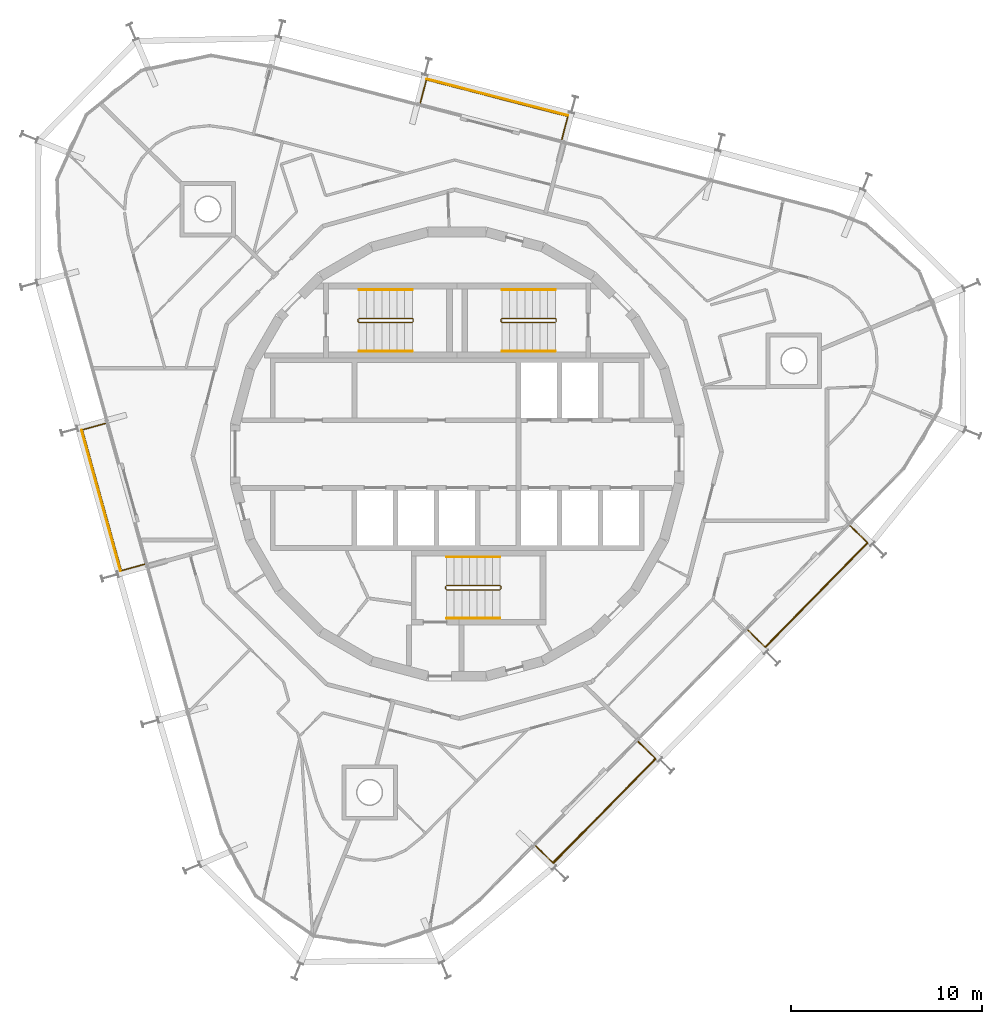
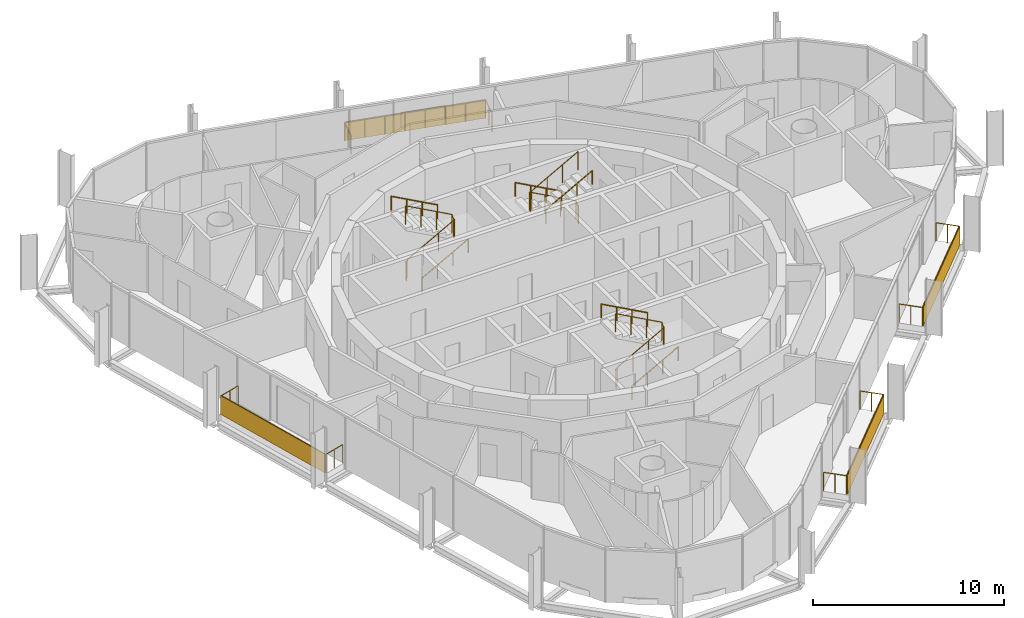
# One storey, part 15 of 15: 13 railings, 4 shading devices.
"""IFC4 building model written with IfcOpenShell, lengths in metres."""

from ifc_helpers import new_model, si_unit, direction, frame, origin, origin_2d, place, context, subcontext, project, spatial, rectangle, circle, extrude, material, layer, layer_set, type_object, element, save


model = new_model("IFC4")

# Units and contexts
model_context = context("Model", 3, precision=1e-05, world=origin(), true_north=direction((0.0, 1.0)))
body_context = subcontext(model_context, "Body", "Model", "MODEL_VIEW")
ifc_project = project(units=[si_unit("LENGTHUNIT", "METRE"), si_unit("AREAUNIT", "SQUARE_METRE"), si_unit("VOLUMEUNIT", "CUBIC_METRE"), si_unit("PLANEANGLEUNIT", "RADIAN"), si_unit("MASSUNIT", "GRAM", prefix="KILO")], contexts=[model_context])

# Site, building, storey
site_placement = place(None, origin())
site = spatial("IfcSite", under=ifc_project, at=site_placement, CompositionType="ELEMENT")
building_placement = place(site_placement, origin())
building = spatial("IfcBuilding", under=site, at=building_placement, Name="Spindle Arch Residences", CompositionType="ELEMENT")
storey_placement = place(building_placement, frame((0.0, 0.0, 319.199951171875)))
storey = spatial("IfcBuildingStorey", under=building, at=storey_placement, Name="L82", CompositionType="ELEMENT", Elevation=319.199951171875)

# Railings
ifc_material_1 = material(Name="Bronze anodised aluminium guard with glass infill", Category="aluminium")
railing_type_1 = type_object("IfcRailingType", Name="Balcony guard 1200", PredefinedType="GUARDRAIL", material=ifc_material_1)
railing_1_placement = place(storey_placement, frame((15.253662109375, -9.23779296875, 0.0)))
element("IfcRailing", 1, at=railing_1_placement, inside=storey, type_object=railing_type_1, Name="Guard L82 bay 1", PredefinedType="GUARDRAIL", context=body_context, shape_type="SweptSolid", body=[
    extrude(circle(Radius=0.02392578125, at=origin_2d()), frame((0.0, 0.0, 1.17578125), z_axis=(0.713231937859, -0.700928101034, 0.0), x_axis=(0.700928101034, 0.713231937859, 0.0)), (0.0, 0.0, 1.0), 1.25),
    extrude(circle(Radius=0.02392578125, at=origin_2d()), frame((0.8916015625, -0.876220703125, 1.17578125), z_axis=(0.700916720912, 0.713243121485, 0.0), x_axis=(-0.713243121485, 0.700916720912, 0.0)), (0.0, 0.0, 1.0), 7.6650390625),
    extrude(circle(Radius=0.02392578125, at=origin_2d()), frame((6.26416015625, 4.5908203125, 1.17578125), z_axis=(-0.713231937859, 0.700928101034, 0.0), x_axis=(-0.700928101034, -0.713231937859, 0.0)), (0.0, 0.0, 1.0), 1.25),
    extrude(circle(Radius=0.02099609375, at=origin_2d()), origin(), (0.0, 0.0, 1.0), 1.15185546875),
    extrude(circle(Radius=0.02099609375, at=origin_2d()), frame((0.44580078125, -0.43798828125, 0.0)), (0.0, 0.0, 1.0), 1.15185546875),
    extrude(circle(Radius=0.02099609375, at=origin_2d()), frame((0.8916015625, -0.876220703125, 0.0)), (0.0, 0.0, 1.0), 1.15185546875),
    extrude(circle(Radius=0.02099609375, at=origin_2d()), frame((1.6591796875, -0.09521484375, 0.0)), (0.0, 0.0, 1.0), 1.15185546875),
    extrude(circle(Radius=0.02099609375, at=origin_2d()), frame((2.426513671875, 0.685791015625, 0.0)), (0.0, 0.0, 1.0), 1.15185546875),
    extrude(circle(Radius=0.02099609375, at=origin_2d()), frame((3.194091796875, 1.466796875, 0.0)), (0.0, 0.0, 1.0), 1.15185546875),
    extrude(circle(Radius=0.02099609375, at=origin_2d()), frame((3.961669921875, 2.247802734375, 0.0)), (0.0, 0.0, 1.0), 1.15185546875),
    extrude(circle(Radius=0.02099609375, at=origin_2d()), frame((4.729248046875, 3.02880859375, 0.0)), (0.0, 0.0, 1.0), 1.15185546875),
    extrude(circle(Radius=0.02099609375, at=origin_2d()), frame((5.49658203125, 3.809814453125, 0.0)), (0.0, 0.0, 1.0), 1.15185546875),
    extrude(circle(Radius=0.02099609375, at=origin_2d()), frame((6.26416015625, 4.5908203125, 0.0)), (0.0, 0.0, 1.0), 1.15185546875),
    extrude(circle(Radius=0.02099609375, at=origin_2d()), frame((5.818359375, 5.02880859375, 0.0)), (0.0, 0.0, 1.0), 1.15185546875),
    extrude(circle(Radius=0.02099609375, at=origin_2d()), frame((5.37255859375, 5.467041015625, 0.0)), (0.0, 0.0, 1.0), 1.15185546875),
])
railing_2_placement = place(storey_placement, frame((5.494873046875, 16.50439453125, 0.0)))
element("IfcRailing", 2, at=railing_2_placement, inside=storey, type_object=railing_type_1, Name="Guard L82 bay 7", PredefinedType="GUARDRAIL", context=body_context, shape_type="SweptSolid", body=[
    extrude(circle(Radius=0.02392578125, at=origin_2d()), frame((0.0, 0.0, 1.17578125), z_axis=(0.250385978254, 0.968146095325, 0.0), x_axis=(-0.968146095325, 0.250385978254, 0.0)), (0.0, 0.0, 1.0), 1.25),
    extrude(circle(Radius=0.02392578125, at=origin_2d()), frame((0.31298828125, 1.210205078125, 1.17578125), z_axis=(-0.968147177851, 0.250381792508, 0.0), x_axis=(-0.250381792508, -0.968147177851, 0.0)), (0.0, 0.0, 1.0), 7.6650390625),
    extrude(circle(Radius=0.02392578125, at=origin_2d()), frame((-7.10791015625, 3.12939453125, 1.17578125), z_axis=(-0.250385978254, -0.968146095325, 0.0), x_axis=(0.968146095325, -0.250385978254, 0.0)), (0.0, 0.0, 1.0), 1.25),
    extrude(circle(Radius=0.02099609375, at=origin_2d()), origin(), (0.0, 0.0, 1.0), 1.15185546875),
    extrude(circle(Radius=0.02099609375, at=origin_2d()), frame((0.156494140625, 0.60498046875, 0.0)), (0.0, 0.0, 1.0), 1.15185546875),
    extrude(circle(Radius=0.02099609375, at=origin_2d()), frame((0.31298828125, 1.210205078125, 0.0)), (0.0, 0.0, 1.0), 1.15185546875),
    extrude(circle(Radius=0.02099609375, at=origin_2d()), frame((-0.7470703125, 1.484375, 0.0)), (0.0, 0.0, 1.0), 1.15185546875),
    extrude(circle(Radius=0.02099609375, at=origin_2d()), frame((-1.807373046875, 1.758544921875, 0.0)), (0.0, 0.0, 1.0), 1.15185546875),
    extrude(circle(Radius=0.02099609375, at=origin_2d()), frame((-2.867431640625, 2.03271484375, 0.0)), (0.0, 0.0, 1.0), 1.15185546875),
    extrude(circle(Radius=0.02099609375, at=origin_2d()), frame((-3.927490234375, 2.306884765625, 0.0)), (0.0, 0.0, 1.0), 1.15185546875),
    extrude(circle(Radius=0.02099609375, at=origin_2d()), frame((-4.987548828125, 2.5810546875, 0.0)), (0.0, 0.0, 1.0), 1.15185546875),
    extrude(circle(Radius=0.02099609375, at=origin_2d()), frame((-6.0478515625, 2.855224609375, 0.0)), (0.0, 0.0, 1.0), 1.15185546875),
    extrude(circle(Radius=0.02099609375, at=origin_2d()), frame((-7.10791015625, 3.12939453125, 0.0)), (0.0, 0.0, 1.0), 1.15185546875),
    extrude(circle(Radius=0.02099609375, at=origin_2d()), frame((-7.264404296875, 2.5244140625, 0.0)), (0.0, 0.0, 1.0), 1.15185546875),
    extrude(circle(Radius=0.02099609375, at=origin_2d()), frame((-7.4208984375, 1.919189453125, 0.0)), (0.0, 0.0, 1.0), 1.15185546875),
])
railing_3_placement = place(storey_placement, frame((-18.45458984375, 1.604248046875, 0.0)))
element("IfcRailing", 3, at=railing_3_placement, inside=storey, type_object=railing_type_1, Name="Guard L82 bay 13", PredefinedType="GUARDRAIL", context=body_context, shape_type="SweptSolid", body=[
    extrude(circle(Radius=0.02392578125, at=origin_2d()), frame((0.0, 0.0, 1.17578125), z_axis=(-0.963582246814, -0.267412141879, 0.0), x_axis=(0.267412141879, -0.963582246814, 0.0)), (0.0, 0.0, 1.0), 1.249755859375),
    extrude(circle(Radius=0.02392578125, at=origin_2d()), frame((-1.204345703125, -0.334228515625, 1.17578125), z_axis=(0.267233148219, -0.963631903007, 0.0), x_axis=(0.963631903007, 0.267233148219, 0.0)), (0.0, 0.0, 1.0), 7.6650390625),
    extrude(circle(Radius=0.02392578125, at=origin_2d()), frame((0.843994140625, -7.720458984375, 1.17578125), z_axis=(0.963646510798, 0.267180467526, 0.0), x_axis=(-0.267180467526, 0.963646510798, 0.0)), (0.0, 0.0, 1.0), 1.25),
    extrude(circle(Radius=0.02099609375, at=origin_2d()), origin(), (0.0, 0.0, 1.0), 1.15185546875),
    extrude(circle(Radius=0.02099609375, at=origin_2d()), frame((-0.60205078125, -0.1669921875, 0.0)), (0.0, 0.0, 1.0), 1.15185546875),
    extrude(circle(Radius=0.02099609375, at=origin_2d()), frame((-1.204345703125, -0.334228515625, 0.0)), (0.0, 0.0, 1.0), 1.15185546875),
    extrude(circle(Radius=0.02099609375, at=origin_2d()), frame((-0.91162109375, -1.389404296875, 0.0)), (0.0, 0.0, 1.0), 1.15185546875),
    extrude(circle(Radius=0.02099609375, at=origin_2d()), frame((-0.619140625, -2.444580078125, 0.0)), (0.0, 0.0, 1.0), 1.15185546875),
    extrude(circle(Radius=0.02099609375, at=origin_2d()), frame((-0.326416015625, -3.499755859375, 0.0)), (0.0, 0.0, 1.0), 1.15185546875),
    extrude(circle(Radius=0.02099609375, at=origin_2d()), frame((-0.033935546875, -4.554931640625, 0.0)), (0.0, 0.0, 1.0), 1.15185546875),
    extrude(circle(Radius=0.02099609375, at=origin_2d()), frame((0.2587890625, -5.610107421875, 0.0)), (0.0, 0.0, 1.0), 1.15185546875),
    extrude(circle(Radius=0.02099609375, at=origin_2d()), frame((0.55126953125, -6.665283203125, 0.0)), (0.0, 0.0, 1.0), 1.15185546875),
    extrude(circle(Radius=0.02099609375, at=origin_2d()), frame((0.843994140625, -7.720458984375, 0.0)), (0.0, 0.0, 1.0), 1.15185546875),
    extrude(circle(Radius=0.02099609375, at=origin_2d()), frame((1.4462890625, -7.553466796875, 0.0)), (0.0, 0.0, 1.0), 1.15185546875),
    extrude(circle(Radius=0.02099609375, at=origin_2d()), frame((2.048583984375, -7.386474609375, 0.0)), (0.0, 0.0, 1.0), 1.15185546875),
])
railing_4_placement = place(storey_placement, frame((4.130126953125, -20.557373046875, 0.0)))
element("IfcRailing", 4, at=railing_4_placement, inside=storey, type_object=railing_type_1, Name="Guard L82 bay 19", PredefinedType="GUARDRAIL", context=body_context, shape_type="SweptSolid", body=[
    extrude(circle(Radius=0.02392578125, at=origin_2d()), frame((0.0, 0.0, 1.17578125), z_axis=(0.71332957902, -0.700828732071, 0.0), x_axis=(0.700828732071, 0.71332957902, 0.0)), (0.0, 0.0, 1.0), 1.25),
    extrude(circle(Radius=0.02392578125, at=origin_2d()), frame((0.8916015625, -0.8759765625, 1.17578125), z_axis=(0.700916720912, 0.713243121485, 0.0), x_axis=(-0.713243121485, 0.700916720912, 0.0)), (0.0, 0.0, 1.0), 7.6650390625),
    extrude(circle(Radius=0.02392578125, at=origin_2d()), frame((6.26416015625, 4.591064453125, 1.17578125), z_axis=(-0.713231937859, 0.700928101034, 0.0), x_axis=(-0.700928101034, -0.713231937859, 0.0)), (0.0, 0.0, 1.0), 1.25),
    extrude(circle(Radius=0.02099609375, at=origin_2d()), origin(), (0.0, 0.0, 1.0), 1.15185546875),
    extrude(circle(Radius=0.02099609375, at=origin_2d()), frame((0.44580078125, -0.43798828125, 0.0)), (0.0, 0.0, 1.0), 1.15185546875),
    extrude(circle(Radius=0.02099609375, at=origin_2d()), frame((0.8916015625, -0.8759765625, 0.0)), (0.0, 0.0, 1.0), 1.15185546875),
    extrude(circle(Radius=0.02099609375, at=origin_2d()), frame((1.6591796875, -0.094970703125, 0.0)), (0.0, 0.0, 1.0), 1.15185546875),
    extrude(circle(Radius=0.02099609375, at=origin_2d()), frame((2.426513671875, 0.68603515625, 0.0)), (0.0, 0.0, 1.0), 1.15185546875),
    extrude(circle(Radius=0.02099609375, at=origin_2d()), frame((3.194091796875, 1.467041015625, 0.0)), (0.0, 0.0, 1.0), 1.15185546875),
    extrude(circle(Radius=0.02099609375, at=origin_2d()), frame((3.961669921875, 2.248046875, 0.0)), (0.0, 0.0, 1.0), 1.15185546875),
    extrude(circle(Radius=0.02099609375, at=origin_2d()), frame((4.729248046875, 3.029052734375, 0.0)), (0.0, 0.0, 1.0), 1.15185546875),
    extrude(circle(Radius=0.02099609375, at=origin_2d()), frame((5.49658203125, 3.81005859375, 0.0)), (0.0, 0.0, 1.0), 1.15185546875),
    extrude(circle(Radius=0.02099609375, at=origin_2d()), frame((6.26416015625, 4.591064453125, 0.0)), (0.0, 0.0, 1.0), 1.15185546875),
    extrude(circle(Radius=0.02099609375, at=origin_2d()), frame((5.818359375, 5.029296875, 0.0)), (0.0, 0.0, 1.0), 1.15185546875),
    extrude(circle(Radius=0.02099609375, at=origin_2d()), frame((5.37255859375, 5.46728515625, 0.0)), (0.0, 0.0, 1.0), 1.15185546875),
])

# Shading devices
ifc_material_2 = material(Name="Bronze perforated cobogo screen")
ifc_layer = layer(ifc_material_2, 0.0390625)
ifc_layer_set = layer_set([ifc_layer], Name="Cobogo screen 1200")
shading_device_type = type_object("IfcShadingDeviceType", Name="Cobogo screen 1200", PredefinedType="USERDEFINED", material=ifc_layer_set)
for number, where, z_axis, x_axis, name in (
    (5, (18.8603515625, -7.408935546875, 0.0), (0.0, 0.0, 1.0), (0.7009092643, 0.713250449154, 0.0), "Cobogo screen L82 bay 1"),
    (6, (2.107666015625, 18.71337890625, 0.0), (0.0, 0.0, 1.0), (-0.968147640378, 0.250380004054, 0.0), "Cobogo screen L82 bay 7"),
    (7, (-18.673828125, -2.433837890625, 0.0), (0.0, 0.0, 1.0), (0.267238376078, -0.963630453209, 0.0), "Cobogo screen L82 bay 13"),
    (8, (7.73681640625, -18.728271484375, 0.0), (0.0, 0.0, 1.0), (0.7009092643, 0.713250449154, 0.0), "Cobogo screen L82 bay 19"),
):
    element("IfcShadingDevice", number, at=place(storey_placement, frame(where, z_axis=z_axis, x_axis=x_axis)), inside=storey, type_object=shading_device_type, Name=name, ObjectType="SCREEN", PredefinedType="USERDEFINED", context=body_context, shape_type="SweptSolid", body=[
        extrude(rectangle(XDim=7.6650390625, YDim=0.0390625, at=origin_2d()), origin(), (0.0, 0.0, 1.0), 1.199951171875),
    ])

# Railings
ifc_material_3 = material(Name="Steel, painted", Category="steel")
railing_type_2 = type_object("IfcRailingType", Name="Stair guard 1100", PredefinedType="GUARDRAIL", material=ifc_material_3)
railing_5_placement = place(storey_placement, frame((5.14990234375, 6.89990234375, 3.5)))
element("IfcRailing", 9, at=railing_5_placement, inside=storey, type_object=railing_type_2, Name="L82 ST1 stair guard 1", PredefinedType="GUARDRAIL", context=body_context, shape_type="SweptSolid", body=[
    extrude(circle(Radius=0.02392578125, at=origin_2d()), frame((0.0, 0.0, 1.17578125), z_axis=(-0.877357048833, 0.0, -0.479838106931), x_axis=(0.0, -1.0, 0.0)), (0.0, 0.0, 1.0), 3.191162109375),
    extrude(circle(Radius=0.02392578125, at=origin_2d()), frame((-2.7998046875, 0.0, -0.35546875), z_axis=(-0.217683172539, 0.217683172539, -0.951434744366), x_axis=(-0.707106781187, -0.707106781187, 0.0)), (0.0, 0.0, 1.0), 0.22998046875),
    extrude(circle(Radius=0.02392578125, at=origin_2d()), frame((-2.849853515625, 0.050048828125, -0.57421875), z_axis=(0.0, 1.0, 0.0), x_axis=(-1.0, 0.0, 0.0)), (0.0, 0.0, 1.0), 0.1201171875),
    extrude(circle(Radius=0.02392578125, at=origin_2d()), frame((-2.849853515625, 0.170166015625, -0.57421875), z_axis=(0.707106781187, 0.707106781187, 0.0), x_axis=(-0.707106781187, 0.707106781187, 0.0)), (0.0, 0.0, 1.0), 0.07080078125),
    extrude(circle(Radius=0.02392578125, at=origin_2d()), frame((-2.7998046875, 0.22021484375, -0.57421875), z_axis=(0.877357048833, 0.0, -0.479838106931), x_axis=(0.0, 1.0, 0.0)), (0.0, 0.0, 1.0), 3.191162109375),
    extrude(circle(Radius=0.02392578125, at=origin_2d()), frame((0.0, 0.22021484375, -2.10546875), z_axis=(0.217683172539, -0.217683172539, -0.951434744366), x_axis=(0.707106781187, 0.707106781187, 0.0)), (0.0, 0.0, 1.0), 0.22998046875),
    extrude(circle(Radius=0.02392578125, at=origin_2d()), frame((0.050048828125, 0.170166015625, -2.32421875), z_axis=(0.0, -1.0, 0.0), x_axis=(1.0, 0.0, 0.0)), (0.0, 0.0, 1.0), 0.1201171875),
    extrude(circle(Radius=0.02099609375, at=origin_2d()), origin(), (0.0, 0.0, 1.0), 1.15185546875),
    extrude(circle(Radius=0.02099609375, at=origin_2d()), frame((-0.933349609375, 0.0, -0.510498046875)), (0.0, 0.0, 1.0), 1.15185546875),
    extrude(circle(Radius=0.02099609375, at=origin_2d()), frame((-1.866455078125, 0.0, -1.020751953125)), (0.0, 0.0, 1.0), 1.15185546875),
    extrude(circle(Radius=0.02099609375, at=origin_2d()), frame((-2.7998046875, 0.0, -1.53125)), (0.0, 0.0, 1.0), 1.15185546875),
    extrude(circle(Radius=0.02099609375, at=origin_2d()), frame((-2.849853515625, 0.050048828125, -1.75)), (0.0, 0.0, 1.0), 1.15185546875),
    extrude(circle(Radius=0.02099609375, at=origin_2d()), frame((-2.849853515625, 0.170166015625, -1.75)), (0.0, 0.0, 1.0), 1.15185546875),
    extrude(circle(Radius=0.02099609375, at=origin_2d()), frame((-2.7998046875, 0.22021484375, -1.75)), (0.0, 0.0, 1.0), 1.15185546875),
    extrude(circle(Radius=0.02099609375, at=origin_2d()), frame((-1.866455078125, 0.22021484375, -2.260498046875)), (0.0, 0.0, 1.0), 1.15185546875),
    extrude(circle(Radius=0.02099609375, at=origin_2d()), frame((-0.933349609375, 0.22021484375, -2.770751953125)), (0.0, 0.0, 1.0), 1.15185546875),
    extrude(circle(Radius=0.02099609375, at=origin_2d()), frame((0.0, 0.22021484375, -3.28125)), (0.0, 0.0, 1.0), 1.15185546875),
    extrude(circle(Radius=0.02099609375, at=origin_2d()), frame((0.050048828125, 0.170166015625, -3.5)), (0.0, 0.0, 1.0), 1.15185546875),
    extrude(circle(Radius=0.02099609375, at=origin_2d()), frame((0.050048828125, 0.050048828125, -3.5)), (0.0, 0.0, 1.0), 1.15185546875),
])
railing_6_placement = place(storey_placement, frame((-5.14990234375, 7.1201171875, 3.5)))
element("IfcRailing", 10, at=railing_6_placement, inside=storey, type_object=railing_type_2, Name="L82 ST2 stair guard 1", PredefinedType="GUARDRAIL", context=body_context, shape_type="SweptSolid", body=[
    extrude(circle(Radius=0.02392578125, at=origin_2d()), frame((0.0, 0.0, 1.17578125), z_axis=(0.877357048833, 0.0, -0.479838106931), x_axis=(0.0, 1.0, 0.0)), (0.0, 0.0, 1.0), 3.191162109375),
    extrude(circle(Radius=0.02392578125, at=origin_2d()), frame((2.7998046875, 0.0, -0.35546875), z_axis=(0.217683172539, -0.217683172539, -0.951434744366), x_axis=(0.707106781187, 0.707106781187, 0.0)), (0.0, 0.0, 1.0), 0.22998046875),
    extrude(circle(Radius=0.02392578125, at=origin_2d()), frame((2.849853515625, -0.050048828125, -0.57421875), z_axis=(0.0, -1.0, 0.0), x_axis=(1.0, 0.0, 0.0)), (0.0, 0.0, 1.0), 0.1201171875),
    extrude(circle(Radius=0.02392578125, at=origin_2d()), frame((2.849853515625, -0.170166015625, -0.57421875), z_axis=(-0.707106781187, -0.707106781187, 0.0), x_axis=(0.707106781187, -0.707106781187, 0.0)), (0.0, 0.0, 1.0), 0.07080078125),
    extrude(circle(Radius=0.02392578125, at=origin_2d()), frame((2.7998046875, -0.22021484375, -0.57421875), z_axis=(-0.877357048833, 0.0, -0.479838106931), x_axis=(0.0, -1.0, 0.0)), (0.0, 0.0, 1.0), 3.191162109375),
    extrude(circle(Radius=0.02392578125, at=origin_2d()), frame((0.0, -0.22021484375, -2.10546875), z_axis=(-0.217683172539, 0.217683172539, -0.951434744366), x_axis=(-0.707106781187, -0.707106781187, 0.0)), (0.0, 0.0, 1.0), 0.22998046875),
    extrude(circle(Radius=0.02392578125, at=origin_2d()), frame((-0.050048828125, -0.170166015625, -2.32421875), z_axis=(0.0, 1.0, 0.0), x_axis=(-1.0, 0.0, 0.0)), (0.0, 0.0, 1.0), 0.1201171875),
    extrude(circle(Radius=0.02099609375, at=origin_2d()), origin(), (0.0, 0.0, 1.0), 1.15185546875),
    extrude(circle(Radius=0.02099609375, at=origin_2d()), frame((0.933349609375, 0.0, -0.510498046875)), (0.0, 0.0, 1.0), 1.15185546875),
    extrude(circle(Radius=0.02099609375, at=origin_2d()), frame((1.866455078125, 0.0, -1.020751953125)), (0.0, 0.0, 1.0), 1.15185546875),
    extrude(circle(Radius=0.02099609375, at=origin_2d()), frame((2.7998046875, 0.0, -1.53125)), (0.0, 0.0, 1.0), 1.15185546875),
    extrude(circle(Radius=0.02099609375, at=origin_2d()), frame((2.849853515625, -0.050048828125, -1.75)), (0.0, 0.0, 1.0), 1.15185546875),
    extrude(circle(Radius=0.02099609375, at=origin_2d()), frame((2.849853515625, -0.170166015625, -1.75)), (0.0, 0.0, 1.0), 1.15185546875),
    extrude(circle(Radius=0.02099609375, at=origin_2d()), frame((2.7998046875, -0.22021484375, -1.75)), (0.0, 0.0, 1.0), 1.15185546875),
    extrude(circle(Radius=0.02099609375, at=origin_2d()), frame((1.866455078125, -0.22021484375, -2.260498046875)), (0.0, 0.0, 1.0), 1.15185546875),
    extrude(circle(Radius=0.02099609375, at=origin_2d()), frame((0.933349609375, -0.22021484375, -2.770751953125)), (0.0, 0.0, 1.0), 1.15185546875),
    extrude(circle(Radius=0.02099609375, at=origin_2d()), frame((0.0, -0.22021484375, -3.28125)), (0.0, 0.0, 1.0), 1.15185546875),
    extrude(circle(Radius=0.02099609375, at=origin_2d()), frame((-0.050048828125, -0.170166015625, -3.5)), (0.0, 0.0, 1.0), 1.15185546875),
    extrude(circle(Radius=0.02099609375, at=origin_2d()), frame((-0.050048828125, -0.050048828125, -3.5)), (0.0, 0.0, 1.0), 1.15185546875),
])
railing_7_placement = place(storey_placement, frame((-0.550048828125, -6.89990234375, 3.5)))
element("IfcRailing", 11, at=railing_7_placement, inside=storey, type_object=railing_type_2, Name="L82 ST3 stair guard 1", PredefinedType="GUARDRAIL", context=body_context, shape_type="SweptSolid", body=[
    extrude(circle(Radius=0.02392578125, at=origin_2d()), frame((0.0, 0.0, 1.17578125), z_axis=(0.877374661878, 0.0, -0.479805901063), x_axis=(0.0, 1.0, 0.0)), (0.0, 0.0, 1.0), 3.19140625),
    extrude(circle(Radius=0.02392578125, at=origin_2d()), frame((2.800048828125, 0.0, -0.35546875), z_axis=(0.217683172539, -0.217683172539, -0.951434744366), x_axis=(0.707106781187, 0.707106781187, 0.0)), (0.0, 0.0, 1.0), 0.22998046875),
    extrude(circle(Radius=0.02392578125, at=origin_2d()), frame((2.85009765625, -0.050048828125, -0.57421875), z_axis=(0.0, -1.0, 0.0), x_axis=(1.0, 0.0, 0.0)), (0.0, 0.0, 1.0), 0.1201171875),
    extrude(circle(Radius=0.02392578125, at=origin_2d()), frame((2.85009765625, -0.170166015625, -0.57421875), z_axis=(-0.707106781187, -0.707106781187, 0.0), x_axis=(0.707106781187, -0.707106781187, 0.0)), (0.0, 0.0, 1.0), 0.07080078125),
    extrude(circle(Radius=0.02392578125, at=origin_2d()), frame((2.800048828125, -0.22021484375, -0.57421875), z_axis=(-0.877374661878, 0.0, -0.479805901063), x_axis=(0.0, -1.0, 0.0)), (0.0, 0.0, 1.0), 3.19140625),
    extrude(circle(Radius=0.02392578125, at=origin_2d()), frame((0.0, -0.22021484375, -2.10546875), z_axis=(-0.217683172539, 0.217683172539, -0.951434744366), x_axis=(-0.707106781187, -0.707106781187, 0.0)), (0.0, 0.0, 1.0), 0.22998046875),
    extrude(circle(Radius=0.02392578125, at=origin_2d()), frame((-0.050048828125, -0.170166015625, -2.32421875), z_axis=(0.0, 1.0, 0.0), x_axis=(-1.0, 0.0, 0.0)), (0.0, 0.0, 1.0), 0.1201171875),
    extrude(circle(Radius=0.02099609375, at=origin_2d()), origin(), (0.0, 0.0, 1.0), 1.15185546875),
    extrude(circle(Radius=0.02099609375, at=origin_2d()), frame((0.933349609375, 0.0, -0.510498046875)), (0.0, 0.0, 1.0), 1.15185546875),
    extrude(circle(Radius=0.02099609375, at=origin_2d()), frame((1.86669921875, 0.0, -1.020751953125)), (0.0, 0.0, 1.0), 1.15185546875),
    extrude(circle(Radius=0.02099609375, at=origin_2d()), frame((2.800048828125, 0.0, -1.53125)), (0.0, 0.0, 1.0), 1.15185546875),
    extrude(circle(Radius=0.02099609375, at=origin_2d()), frame((2.85009765625, -0.050048828125, -1.75)), (0.0, 0.0, 1.0), 1.15185546875),
    extrude(circle(Radius=0.02099609375, at=origin_2d()), frame((2.85009765625, -0.170166015625, -1.75)), (0.0, 0.0, 1.0), 1.15185546875),
    extrude(circle(Radius=0.02099609375, at=origin_2d()), frame((2.800048828125, -0.22021484375, -1.75)), (0.0, 0.0, 1.0), 1.15185546875),
    extrude(circle(Radius=0.02099609375, at=origin_2d()), frame((1.86669921875, -0.22021484375, -2.260498046875)), (0.0, 0.0, 1.0), 1.15185546875),
    extrude(circle(Radius=0.02099609375, at=origin_2d()), frame((0.933349609375, -0.22021484375, -2.770751953125)), (0.0, 0.0, 1.0), 1.15185546875),
    extrude(circle(Radius=0.02099609375, at=origin_2d()), frame((0.0, -0.22021484375, -3.28125)), (0.0, 0.0, 1.0), 1.15185546875),
    extrude(circle(Radius=0.02099609375, at=origin_2d()), frame((-0.050048828125, -0.170166015625, -3.5)), (0.0, 0.0, 1.0), 1.15185546875),
    extrude(circle(Radius=0.02099609375, at=origin_2d()), frame((-0.050048828125, -0.050048828125, -3.5)), (0.0, 0.0, 1.0), 1.15185546875),
])
ifc_material_4 = material(Name="Steel, painted", Category="steel")
railing_type_3 = type_object("IfcRailingType", Name="Stair handrail 900", PredefinedType="HANDRAIL", material=ifc_material_4)
railing_8_placement = place(storey_placement, frame((5.14990234375, 8.6201171875, 0.21875)))
element("IfcRailing", 12, at=railing_8_placement, inside=storey, type_object=railing_type_3, Name="L82 ST1 stair handrail 1", PredefinedType="HANDRAIL", context=body_context, shape_type="SweptSolid", body=[
    extrude(circle(Radius=0.02392578125, at=origin_2d()), frame((0.0, 0.0, 0.8759765625), z_axis=(-0.877357048833, 0.0, 0.479838106931), x_axis=(0.0, -1.0, 0.0)), (0.0, 0.0, 1.0), 3.191162109375),
    extrude(circle(Radius=0.02099609375, at=origin_2d()), origin(), (0.0, 0.0, 1.0), 0.851806640625),
    extrude(circle(Radius=0.02099609375, at=origin_2d()), frame((-0.933349609375, 0.0, 0.510498046875)), (0.0, 0.0, 1.0), 0.851806640625),
    extrude(circle(Radius=0.02099609375, at=origin_2d()), frame((-1.866455078125, 0.0, 1.020751953125)), (0.0, 0.0, 1.0), 0.851806640625),
    extrude(circle(Radius=0.02099609375, at=origin_2d()), frame((-2.7998046875, 0.0, 1.53125)), (0.0, 0.0, 1.0), 0.851806640625),
])
for number, where, name in (
    (13, (2.35009765625, 5.39990234375, 1.96875), "L82 ST1 stair handrail 2"),
    (14, (-5.14990234375, 5.39990234375, 0.21875), "L82 ST2 stair handrail 1"),
):
    element("IfcRailing", number, at=place(storey_placement, frame(where)), inside=storey, type_object=railing_type_3, Name=name, PredefinedType="HANDRAIL", context=body_context, shape_type="SweptSolid", body=[
        extrude(circle(Radius=0.02392578125, at=origin_2d()), frame((0.0, 0.0, 0.8759765625), z_axis=(0.877357048833, 0.0, 0.479838106931), x_axis=(0.0, 1.0, 0.0)), (0.0, 0.0, 1.0), 3.191162109375),
        extrude(circle(Radius=0.02099609375, at=origin_2d()), origin(), (0.0, 0.0, 1.0), 0.851806640625),
        extrude(circle(Radius=0.02099609375, at=origin_2d()), frame((0.933349609375, 0.0, 0.510498046875)), (0.0, 0.0, 1.0), 0.851806640625),
        extrude(circle(Radius=0.02099609375, at=origin_2d()), frame((1.866455078125, 0.0, 1.020751953125)), (0.0, 0.0, 1.0), 0.851806640625),
        extrude(circle(Radius=0.02099609375, at=origin_2d()), frame((2.7998046875, 0.0, 1.53125)), (0.0, 0.0, 1.0), 0.851806640625),
    ])
railing_9_placement = place(storey_placement, frame((-2.35009765625, 8.6201171875, 1.96875)))
element("IfcRailing", 15, at=railing_9_placement, inside=storey, type_object=railing_type_3, Name="L82 ST2 stair handrail 2", PredefinedType="HANDRAIL", context=body_context, shape_type="SweptSolid", body=[
    extrude(circle(Radius=0.02392578125, at=origin_2d()), frame((0.0, 0.0, 0.8759765625), z_axis=(-0.877357048833, 0.0, 0.479838106931), x_axis=(0.0, -1.0, 0.0)), (0.0, 0.0, 1.0), 3.191162109375),
    extrude(circle(Radius=0.02099609375, at=origin_2d()), origin(), (0.0, 0.0, 1.0), 0.851806640625),
    extrude(circle(Radius=0.02099609375, at=origin_2d()), frame((-0.933349609375, 0.0, 0.510498046875)), (0.0, 0.0, 1.0), 0.851806640625),
    extrude(circle(Radius=0.02099609375, at=origin_2d()), frame((-1.866455078125, 0.0, 1.020751953125)), (0.0, 0.0, 1.0), 0.851806640625),
    extrude(circle(Radius=0.02099609375, at=origin_2d()), frame((-2.7998046875, 0.0, 1.53125)), (0.0, 0.0, 1.0), 0.851806640625),
])
railing_10_placement = place(storey_placement, frame((-0.550048828125, -8.6201171875, 0.21875)))
element("IfcRailing", 16, at=railing_10_placement, inside=storey, type_object=railing_type_3, Name="L82 ST3 stair handrail 1", PredefinedType="HANDRAIL", context=body_context, shape_type="SweptSolid", body=[
    extrude(circle(Radius=0.02392578125, at=origin_2d()), frame((0.0, 0.0, 0.8759765625), z_axis=(0.877374661878, 0.0, 0.479805901063), x_axis=(0.0, 1.0, 0.0)), (0.0, 0.0, 1.0), 3.19140625),
    extrude(circle(Radius=0.02099609375, at=origin_2d()), origin(), (0.0, 0.0, 1.0), 0.851806640625),
    extrude(circle(Radius=0.02099609375, at=origin_2d()), frame((0.933349609375, 0.0, 0.510498046875)), (0.0, 0.0, 1.0), 0.851806640625),
    extrude(circle(Radius=0.02099609375, at=origin_2d()), frame((1.86669921875, 0.0, 1.020751953125)), (0.0, 0.0, 1.0), 0.851806640625),
    extrude(circle(Radius=0.02099609375, at=origin_2d()), frame((2.800048828125, 0.0, 1.53125)), (0.0, 0.0, 1.0), 0.851806640625),
])
railing_11_placement = place(storey_placement, frame((2.25, -5.39990234375, 1.96875)))
element("IfcRailing", 17, at=railing_11_placement, inside=storey, type_object=railing_type_3, Name="L82 ST3 stair handrail 2", PredefinedType="HANDRAIL", context=body_context, shape_type="SweptSolid", body=[
    extrude(circle(Radius=0.02392578125, at=origin_2d()), frame((0.0, 0.0, 0.8759765625), z_axis=(-0.877374661878, 0.0, 0.479805901063), x_axis=(0.0, -1.0, 0.0)), (0.0, 0.0, 1.0), 3.19140625),
    extrude(circle(Radius=0.02099609375, at=origin_2d()), origin(), (0.0, 0.0, 1.0), 0.851806640625),
    extrude(circle(Radius=0.02099609375, at=origin_2d()), frame((-0.933349609375, 0.0, 0.510498046875)), (0.0, 0.0, 1.0), 0.851806640625),
    extrude(circle(Radius=0.02099609375, at=origin_2d()), frame((-1.86669921875, 0.0, 1.020751953125)), (0.0, 0.0, 1.0), 0.851806640625),
    extrude(circle(Radius=0.02099609375, at=origin_2d()), frame((-2.800048828125, 0.0, 1.53125)), (0.0, 0.0, 1.0), 0.851806640625),
])

save(model, "model.ifc")
